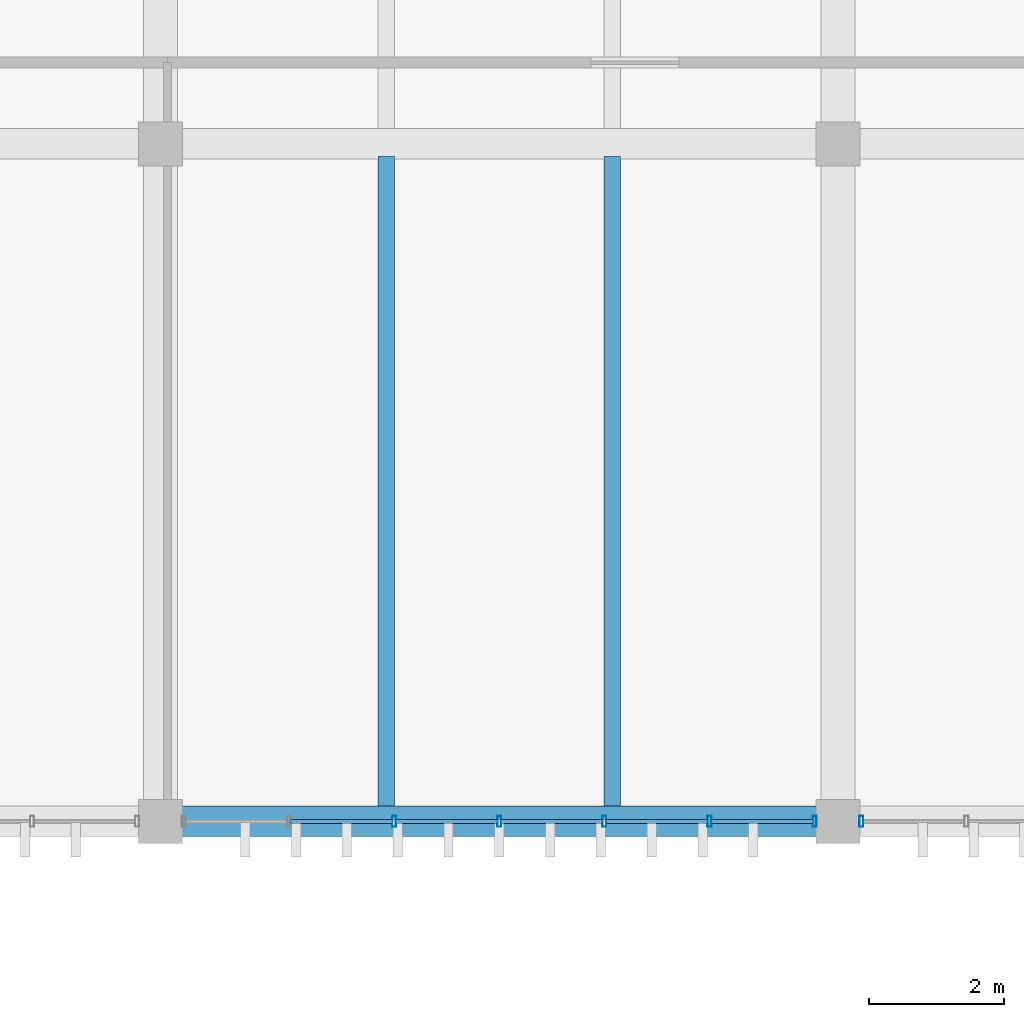
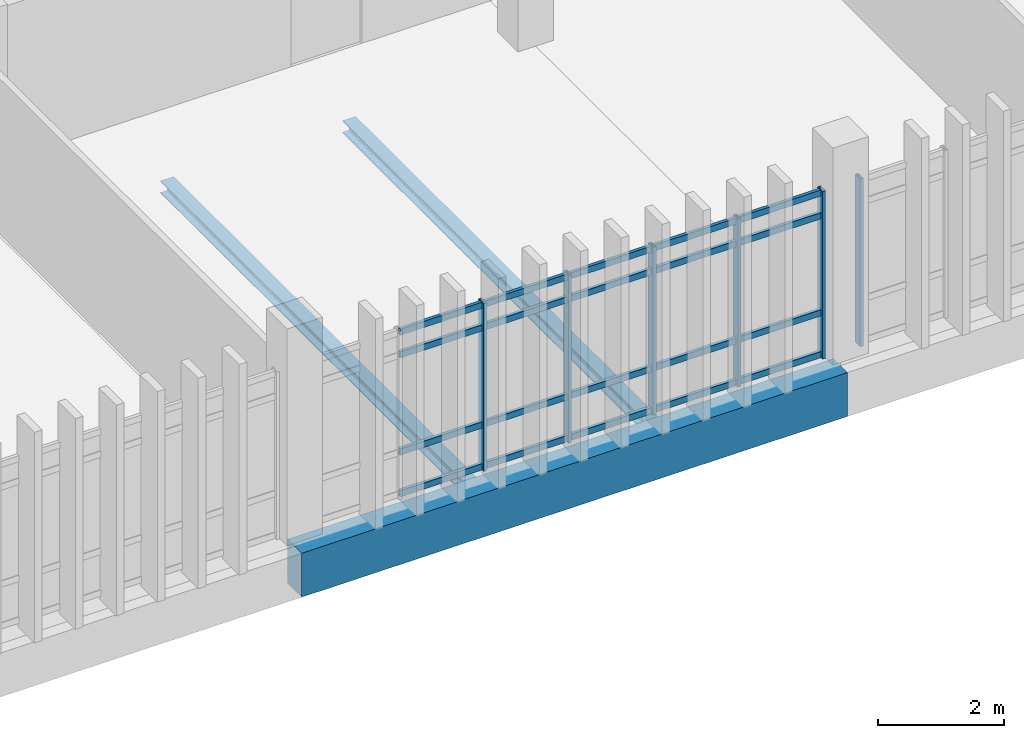
# One storey, part 25 of 82: 26 members, 3 beams, 2 elements without a shape of their own.
"""IFC4 building model written with IfcOpenShell, lengths in metres."""

from ifc_helpers import new_model, si_unit, direction, frame, origin, origin_2d, place, context, subcontext, project, spatial, rectangle, hollow_rectangle, i_section, extrude, material, layer, layer_set, material_profile, profile_set, type_object, element, aggregate, save


model = new_model("IFC4")

# Units and contexts
model_context = context("Model", 3, precision=1e-05, world=origin(), true_north=direction((0.0, 1.0)))
body_context = subcontext(model_context, "Body", "Model", "MODEL_VIEW")
ifc_project = project(units=[si_unit("LENGTHUNIT", "METRE"), si_unit("AREAUNIT", "SQUARE_METRE"), si_unit("VOLUMEUNIT", "CUBIC_METRE"), si_unit("PLANEANGLEUNIT", "RADIAN"), si_unit("MASSUNIT", "GRAM", prefix="KILO")], contexts=[model_context])

# Site, building, storey
site_placement = place(None, origin())
site = spatial("IfcSite", under=ifc_project, at=site_placement, CompositionType="ELEMENT")
building_placement = place(site_placement, origin())
building = spatial("IfcBuilding", under=site, at=building_placement, Name="Mersad Railyard Sports Hall", CompositionType="ELEMENT")
storey_placement = place(building_placement, frame((0.0, 0.0, 13.199951171875)))
storey = spatial("IfcBuildingStorey", under=building, at=storey_placement, Name="L03", CompositionType="ELEMENT", Elevation=13.199951171875)

# Curtain wall, members
ifc_material_1 = material(Name="Aluminium 6063-T6", Category="aluminium")
ifc_layer = layer(ifc_material_1, 0.159912109375)
ifc_layer_set = layer_set([ifc_layer], Name="Aluminium 6063-T6")
curtain_wall_type = type_object("IfcCurtainWallType", Name="ARC-CW-CW60", PredefinedType="USERDEFINED", material=ifc_layer_set)
curtain_wall_1_placement = place(storey_placement, origin())
curtain_wall_1 = element("IfcCurtainWall", 1, at=curtain_wall_1_placement, inside=storey, type_object=curtain_wall_type, Name="Curtain wall CW60-0159", ObjectType="CURTAIN WALL", PredefinedType="USERDEFINED")
ifc_material_profile_1 = material_profile(ifc_material_1, hollow_rectangle(XDim=0.06005859375, YDim=0.159912109375, WallThickness=0.00390625, at=origin_2d()), Name="AL MULLION 60x160x4")
ifc_profile_set_1 = profile_set([ifc_material_profile_1], Name="Aluminium 6063-T6")
member_type_1 = type_object("IfcMemberType", Name="ARC-CW-MUL01", PredefinedType="MULLION", material=ifc_profile_set_1)
member_1_placement = place(storey_placement, frame((110.655029296875, 85.0, -0.02001953125), z_axis=(0.0, 0.0, 1.0), x_axis=(1.0, 0.0, 0.0)))
member_1 = element("IfcMember", 2, at=member_1_placement, type_object=member_type_1, Name="CW60 Mullion 1", PredefinedType="MULLION", context=body_context, shape_type="SweptSolid", body=[
    extrude(hollow_rectangle(XDim=0.06005859375, YDim=0.159912109375, WallThickness=0.00390625, at=origin_2d()), origin(), (0.0, 0.0, 1.0), 3.25),
])
member_2_placement = place(storey_placement, frame((109.103271484375, 85.0, -0.02001953125), z_axis=(0.0, 0.0, 1.0), x_axis=(1.0, 0.0, 0.0)))
member_2 = element("IfcMember", 3, at=member_2_placement, type_object=member_type_1, Name="CW60 Mullion 2", PredefinedType="MULLION", context=body_context, shape_type="SweptSolid", body=[
    extrude(hollow_rectangle(XDim=0.06005859375, YDim=0.159912109375, WallThickness=0.00390625, at=origin_2d()), origin(), (0.0, 0.0, 1.0), 3.25),
])
member_3_placement = place(storey_placement, frame((107.5517578125, 85.0, -0.02001953125), z_axis=(0.0, 0.0, 1.0), x_axis=(1.0, 0.0, 0.0)))
member_3 = element("IfcMember", 4, at=member_3_placement, type_object=member_type_1, Name="CW60 Mullion 3", PredefinedType="MULLION", context=body_context, shape_type="SweptSolid", body=[
    extrude(hollow_rectangle(XDim=0.06005859375, YDim=0.159912109375, WallThickness=0.00390625, at=origin_2d()), origin(), (0.0, 0.0, 1.0), 3.25),
])
member_4_placement = place(storey_placement, frame((106.0, 85.0, -0.02001953125), z_axis=(0.0, 0.0, 1.0), x_axis=(1.0, 0.0, 0.0)))
member_4 = element("IfcMember", 5, at=member_4_placement, type_object=member_type_1, Name="CW60 Mullion 4", PredefinedType="MULLION", context=body_context, shape_type="SweptSolid", body=[
    extrude(hollow_rectangle(XDim=0.06005859375, YDim=0.159912109375, WallThickness=0.00390625, at=origin_2d()), origin(), (0.0, 0.0, 1.0), 3.25),
])
member_5_placement = place(storey_placement, frame((104.4482421875, 85.0, -0.02001953125), z_axis=(0.0, 0.0, 1.0), x_axis=(1.0, 0.0, 0.0)))
member_5 = element("IfcMember", 6, at=member_5_placement, type_object=member_type_1, Name="CW60 Mullion 5", PredefinedType="MULLION", context=body_context, shape_type="SweptSolid", body=[
    extrude(hollow_rectangle(XDim=0.06005859375, YDim=0.159912109375, WallThickness=0.00390625, at=origin_2d()), origin(), (0.0, 0.0, 1.0), 3.25),
])

# Curtain wall, member
curtain_wall_2_placement = place(storey_placement, origin())
curtain_wall_2 = element("IfcCurtainWall", 7, at=curtain_wall_2_placement, inside=storey, type_object=curtain_wall_type, Name="Curtain wall CW60-0160", ObjectType="CURTAIN WALL", PredefinedType="USERDEFINED")
member_6_placement = place(storey_placement, frame((111.344970703125, 85.0, -0.02001953125), z_axis=(0.0, 0.0, 1.0), x_axis=(1.0, 0.0, 0.0)))
member_6 = element("IfcMember", 8, at=member_6_placement, type_object=member_type_1, Name="CW60 Mullion 7", PredefinedType="MULLION", context=body_context, shape_type="SweptSolid", body=[
    extrude(hollow_rectangle(XDim=0.06005859375, YDim=0.159912109375, WallThickness=0.00390625, at=origin_2d()), origin(), (0.0, 0.0, 1.0), 3.25),
])
aggregate(curtain_wall_2, [member_6])

# Member
ifc_material_profile_2 = material_profile(ifc_material_1, hollow_rectangle(XDim=0.06005859375, YDim=0.1201171875, WallThickness=0.00390625, at=origin_2d()), Name="AL TRANSOM 60x120x4")
ifc_profile_set_2 = profile_set([ifc_material_profile_2], Name="Aluminium 6063-T6")
member_type_2 = type_object("IfcMemberType", Name="ARC-CW-TRN01", PredefinedType="USERDEFINED", material=ifc_profile_set_2)
member_7_placement = place(storey_placement, frame((110.635009765625, 85.0, 0.0400390625), z_axis=(-1.0, 0.0, 0.0), x_axis=(0.0, -1.0, 0.0)))
member_7 = element("IfcMember", 9, at=member_7_placement, type_object=member_type_2, Name="CW60 Transom 1-1", ObjectType="TRANSOM", PredefinedType="USERDEFINED", context=body_context, shape_type="SweptSolid", body=[
    extrude(hollow_rectangle(XDim=0.06005859375, YDim=0.1201171875, WallThickness=0.00390625, at=origin_2d()), origin(), (0.0, 0.0, 1.0), 1.51171875),
])

member_8_placement = place(storey_placement, frame((109.083251953125, 85.0, 0.0400390625), z_axis=(-1.0, 0.0, 0.0), x_axis=(0.0, -1.0, 0.0)))
member_8 = element("IfcMember", 10, at=member_8_placement, type_object=member_type_2, Name="CW60 Transom 1-2", ObjectType="TRANSOM", PredefinedType="USERDEFINED", context=body_context, shape_type="SweptSolid", body=[
    extrude(hollow_rectangle(XDim=0.06005859375, YDim=0.1201171875, WallThickness=0.00390625, at=origin_2d()), origin(), (0.0, 0.0, 1.0), 1.511474609375),
])

member_9_placement = place(storey_placement, frame((107.53173828125, 85.0, 0.0400390625), z_axis=(-1.0, 0.0, 0.0), x_axis=(0.0, -1.0, 0.0)))
member_9 = element("IfcMember", 11, at=member_9_placement, type_object=member_type_2, Name="CW60 Transom 1-3", ObjectType="TRANSOM", PredefinedType="USERDEFINED", context=body_context, shape_type="SweptSolid", body=[
    extrude(hollow_rectangle(XDim=0.06005859375, YDim=0.1201171875, WallThickness=0.00390625, at=origin_2d()), origin(), (0.0, 0.0, 1.0), 1.51171875),
])

member_10_placement = place(storey_placement, frame((105.97998046875, 85.0, 0.0400390625), z_axis=(-1.0, 0.0, 0.0), x_axis=(0.0, -1.0, 0.0)))
member_10 = element("IfcMember", 12, at=member_10_placement, type_object=member_type_2, Name="CW60 Transom 1-4", ObjectType="TRANSOM", PredefinedType="USERDEFINED", context=body_context, shape_type="SweptSolid", body=[
    extrude(hollow_rectangle(XDim=0.06005859375, YDim=0.1201171875, WallThickness=0.00390625, at=origin_2d()), origin(), (0.0, 0.0, 1.0), 1.51171875),
])

member_11_placement = place(storey_placement, frame((104.42822265625, 85.0, 0.0400390625), z_axis=(-1.0, 0.0, 0.0), x_axis=(0.0, -1.0, 0.0)))
member_11 = element("IfcMember", 13, at=member_11_placement, type_object=member_type_2, Name="CW60 Transom 1-5", ObjectType="TRANSOM", PredefinedType="USERDEFINED", context=body_context, shape_type="SweptSolid", body=[
    extrude(hollow_rectangle(XDim=0.06005859375, YDim=0.1201171875, WallThickness=0.00390625, at=origin_2d()), origin(), (0.0, 0.0, 1.0), 1.511474609375),
])

member_12_placement = place(storey_placement, frame((110.635009765625, 85.0, 0.85009765625), z_axis=(-1.0, 0.0, 0.0), x_axis=(0.0, -1.0, 0.0)))
member_12 = element("IfcMember", 14, at=member_12_placement, type_object=member_type_2, Name="CW60 Transom 2-1", ObjectType="TRANSOM", PredefinedType="USERDEFINED", context=body_context, shape_type="SweptSolid", body=[
    extrude(hollow_rectangle(XDim=0.06005859375, YDim=0.1201171875, WallThickness=0.00390625, at=origin_2d()), origin(), (0.0, 0.0, 1.0), 1.51171875),
])

member_13_placement = place(storey_placement, frame((109.083251953125, 85.0, 0.85009765625), z_axis=(-1.0, 0.0, 0.0), x_axis=(0.0, -1.0, 0.0)))
member_13 = element("IfcMember", 15, at=member_13_placement, type_object=member_type_2, Name="CW60 Transom 2-2", ObjectType="TRANSOM", PredefinedType="USERDEFINED", context=body_context, shape_type="SweptSolid", body=[
    extrude(hollow_rectangle(XDim=0.06005859375, YDim=0.1201171875, WallThickness=0.00390625, at=origin_2d()), origin(), (0.0, 0.0, 1.0), 1.511474609375),
])

member_14_placement = place(storey_placement, frame((107.53173828125, 85.0, 0.85009765625), z_axis=(-1.0, 0.0, 0.0), x_axis=(0.0, -1.0, 0.0)))
member_14 = element("IfcMember", 16, at=member_14_placement, type_object=member_type_2, Name="CW60 Transom 2-3", ObjectType="TRANSOM", PredefinedType="USERDEFINED", context=body_context, shape_type="SweptSolid", body=[
    extrude(hollow_rectangle(XDim=0.06005859375, YDim=0.1201171875, WallThickness=0.00390625, at=origin_2d()), origin(), (0.0, 0.0, 1.0), 1.51171875),
])

member_15_placement = place(storey_placement, frame((105.97998046875, 85.0, 0.85009765625), z_axis=(-1.0, 0.0, 0.0), x_axis=(0.0, -1.0, 0.0)))
member_15 = element("IfcMember", 17, at=member_15_placement, type_object=member_type_2, Name="CW60 Transom 2-4", ObjectType="TRANSOM", PredefinedType="USERDEFINED", context=body_context, shape_type="SweptSolid", body=[
    extrude(hollow_rectangle(XDim=0.06005859375, YDim=0.1201171875, WallThickness=0.00390625, at=origin_2d()), origin(), (0.0, 0.0, 1.0), 1.51171875),
])

member_16_placement = place(storey_placement, frame((104.42822265625, 85.0, 0.85009765625), z_axis=(-1.0, 0.0, 0.0), x_axis=(0.0, -1.0, 0.0)))
member_16 = element("IfcMember", 18, at=member_16_placement, type_object=member_type_2, Name="CW60 Transom 2-5", ObjectType="TRANSOM", PredefinedType="USERDEFINED", context=body_context, shape_type="SweptSolid", body=[
    extrude(hollow_rectangle(XDim=0.06005859375, YDim=0.1201171875, WallThickness=0.00390625, at=origin_2d()), origin(), (0.0, 0.0, 1.0), 1.511474609375),
])

member_17_placement = place(storey_placement, frame((110.635009765625, 85.0, 2.72998046875), z_axis=(-1.0, 0.0, 0.0), x_axis=(0.0, -1.0, 0.0)))
member_17 = element("IfcMember", 19, at=member_17_placement, type_object=member_type_2, Name="CW60 Transom 3-1", ObjectType="TRANSOM", PredefinedType="USERDEFINED", context=body_context, shape_type="SweptSolid", body=[
    extrude(hollow_rectangle(XDim=0.06005859375, YDim=0.1201171875, WallThickness=0.00390625, at=origin_2d()), origin(), (0.0, 0.0, 1.0), 1.51171875),
])

member_18_placement = place(storey_placement, frame((109.083251953125, 85.0, 2.72998046875), z_axis=(-1.0, 0.0, 0.0), x_axis=(0.0, -1.0, 0.0)))
member_18 = element("IfcMember", 20, at=member_18_placement, type_object=member_type_2, Name="CW60 Transom 3-2", ObjectType="TRANSOM", PredefinedType="USERDEFINED", context=body_context, shape_type="SweptSolid", body=[
    extrude(hollow_rectangle(XDim=0.06005859375, YDim=0.1201171875, WallThickness=0.00390625, at=origin_2d()), origin(), (0.0, 0.0, 1.0), 1.511474609375),
])

member_19_placement = place(storey_placement, frame((107.53173828125, 85.0, 2.72998046875), z_axis=(-1.0, 0.0, 0.0), x_axis=(0.0, -1.0, 0.0)))
member_19 = element("IfcMember", 21, at=member_19_placement, type_object=member_type_2, Name="CW60 Transom 3-3", ObjectType="TRANSOM", PredefinedType="USERDEFINED", context=body_context, shape_type="SweptSolid", body=[
    extrude(hollow_rectangle(XDim=0.06005859375, YDim=0.1201171875, WallThickness=0.00390625, at=origin_2d()), origin(), (0.0, 0.0, 1.0), 1.51171875),
])

member_20_placement = place(storey_placement, frame((105.97998046875, 85.0, 2.72998046875), z_axis=(-1.0, 0.0, 0.0), x_axis=(0.0, -1.0, 0.0)))
member_20 = element("IfcMember", 22, at=member_20_placement, type_object=member_type_2, Name="CW60 Transom 3-4", ObjectType="TRANSOM", PredefinedType="USERDEFINED", context=body_context, shape_type="SweptSolid", body=[
    extrude(hollow_rectangle(XDim=0.06005859375, YDim=0.1201171875, WallThickness=0.00390625, at=origin_2d()), origin(), (0.0, 0.0, 1.0), 1.51171875),
])

member_21_placement = place(storey_placement, frame((104.42822265625, 85.0, 2.72998046875), z_axis=(-1.0, 0.0, 0.0), x_axis=(0.0, -1.0, 0.0)))
member_21 = element("IfcMember", 23, at=member_21_placement, type_object=member_type_2, Name="CW60 Transom 3-5", ObjectType="TRANSOM", PredefinedType="USERDEFINED", context=body_context, shape_type="SweptSolid", body=[
    extrude(hollow_rectangle(XDim=0.06005859375, YDim=0.1201171875, WallThickness=0.00390625, at=origin_2d()), origin(), (0.0, 0.0, 1.0), 1.511474609375),
])

member_22_placement = place(storey_placement, frame((110.635009765625, 85.0, 3.170166015625), z_axis=(-1.0, 0.0, 0.0), x_axis=(0.0, -1.0, 0.0)))
member_22 = element("IfcMember", 24, at=member_22_placement, type_object=member_type_2, Name="CW60 Transom 4-1", ObjectType="TRANSOM", PredefinedType="USERDEFINED", context=body_context, shape_type="SweptSolid", body=[
    extrude(hollow_rectangle(XDim=0.06005859375, YDim=0.1201171875, WallThickness=0.00390625, at=origin_2d()), origin(), (0.0, 0.0, 1.0), 1.51171875),
])

member_23_placement = place(storey_placement, frame((109.083251953125, 85.0, 3.170166015625), z_axis=(-1.0, 0.0, 0.0), x_axis=(0.0, -1.0, 0.0)))
member_23 = element("IfcMember", 25, at=member_23_placement, type_object=member_type_2, Name="CW60 Transom 4-2", ObjectType="TRANSOM", PredefinedType="USERDEFINED", context=body_context, shape_type="SweptSolid", body=[
    extrude(hollow_rectangle(XDim=0.06005859375, YDim=0.1201171875, WallThickness=0.00390625, at=origin_2d()), origin(), (0.0, 0.0, 1.0), 1.511474609375),
])

member_24_placement = place(storey_placement, frame((107.53173828125, 85.0, 3.170166015625), z_axis=(-1.0, 0.0, 0.0), x_axis=(0.0, -1.0, 0.0)))
member_24 = element("IfcMember", 26, at=member_24_placement, type_object=member_type_2, Name="CW60 Transom 4-3", ObjectType="TRANSOM", PredefinedType="USERDEFINED", context=body_context, shape_type="SweptSolid", body=[
    extrude(hollow_rectangle(XDim=0.06005859375, YDim=0.1201171875, WallThickness=0.00390625, at=origin_2d()), origin(), (0.0, 0.0, 1.0), 1.51171875),
])

member_25_placement = place(storey_placement, frame((105.97998046875, 85.0, 3.170166015625), z_axis=(-1.0, 0.0, 0.0), x_axis=(0.0, -1.0, 0.0)))
member_25 = element("IfcMember", 27, at=member_25_placement, type_object=member_type_2, Name="CW60 Transom 4-4", ObjectType="TRANSOM", PredefinedType="USERDEFINED", context=body_context, shape_type="SweptSolid", body=[
    extrude(hollow_rectangle(XDim=0.06005859375, YDim=0.1201171875, WallThickness=0.00390625, at=origin_2d()), origin(), (0.0, 0.0, 1.0), 1.51171875),
])

member_26_placement = place(storey_placement, frame((104.42822265625, 85.0, 3.170166015625), z_axis=(-1.0, 0.0, 0.0), x_axis=(0.0, -1.0, 0.0)))
member_26 = element("IfcMember", 28, at=member_26_placement, type_object=member_type_2, Name="CW60 Transom 4-5", ObjectType="TRANSOM", PredefinedType="USERDEFINED", context=body_context, shape_type="SweptSolid", body=[
    extrude(hollow_rectangle(XDim=0.06005859375, YDim=0.1201171875, WallThickness=0.00390625, at=origin_2d()), origin(), (0.0, 0.0, 1.0), 1.511474609375),
])

aggregate(curtain_wall_1, [member_1, member_2, member_3, member_4, member_5, member_7, member_8, member_9, member_10, member_11, member_12, member_13, member_14, member_15, member_16, member_17, member_18, member_19, member_20, member_21, member_22, member_23, member_24, member_25, member_26])

# Beams
ifc_material_2 = material(Name="Concrete C40/50", Category="concrete")
ifc_material_profile_3 = material_profile(ifc_material_2, rectangle(XDim=0.449951171875, YDim=0.85009765625, at=origin_2d()), Name="RC 450x850")
ifc_profile_set_3 = profile_set([ifc_material_profile_3], Name="Concrete C40/50")
beam_type_1 = type_object("IfcBeamType", Name="STR-BM-B02", PredefinedType="BEAM", material=ifc_profile_set_3)
beam_placement = place(storey_placement, frame((101.0, 85.0, -0.744873046875), z_axis=(1.0, 0.0, 0.0), x_axis=(0.0, 1.0, 0.0)))
element("IfcBeam", 29, at=beam_placement, inside=storey, type_object=beam_type_1, Name="Beam B02-1217", PredefinedType="BEAM", context=body_context, shape_type="SweptSolid", body=[
    extrude(rectangle(XDim=0.449951171875, YDim=0.85009765625, at=origin_2d()), origin(), (0.0, 0.0, 1.0), 10.0),
])
ifc_material_3 = material(Name="Steel S355", Category="steel")
ifc_material_profile_4 = material_profile(ifc_material_3, i_section(OverallWidth=0.239990234375, OverallDepth=0.239990234375, WebThickness=0.010009765625, FlangeThickness=0.01708984375, at=origin_2d()), Name="HEB 240")
ifc_profile_set_4 = profile_set([ifc_material_profile_4], Name="Steel S355")
beam_type_2 = type_object("IfcBeamType", Name="STR-BM-SB04", PredefinedType="BEAM", material=ifc_profile_set_4)
for number, where, z_axis, x_axis, name in (
    (30, (104.3330078125, 85.179931640625, -0.43994140625), (0.0, 1.0, 0.0), (-1.0, 0.0, 0.0), "Beam SB04-1298"),
    (31, (107.6669921875, 85.179931640625, -0.43994140625), (0.0, 1.0, 0.0), (-1.0, 0.0, 0.0), "Beam SB04-1299"),
):
    element("IfcBeam", number, at=place(storey_placement, frame(where, z_axis=z_axis, x_axis=x_axis)), inside=storey, type_object=beam_type_2, Name=name, PredefinedType="BEAM", context=body_context, shape_type="SweptSolid", body=[
        extrude(i_section(OverallWidth=0.239990234375, OverallDepth=0.239990234375, WebThickness=0.010009765625, FlangeThickness=0.01708984375, at=origin_2d()), origin(), (0.0, 0.0, 1.0), 9.64013671875),
    ])

save(model, "model.ifc")
